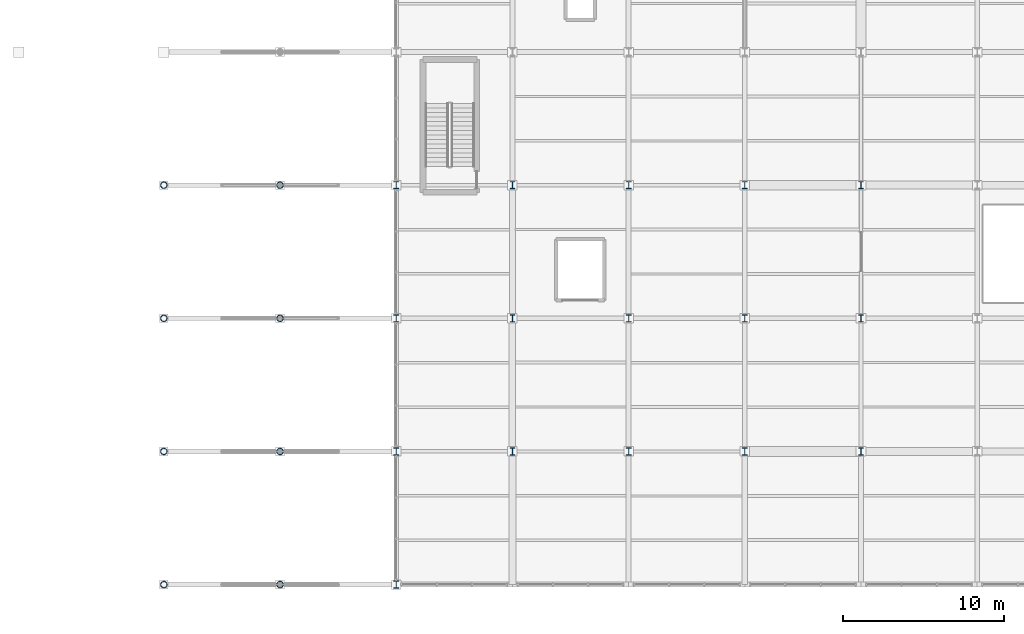
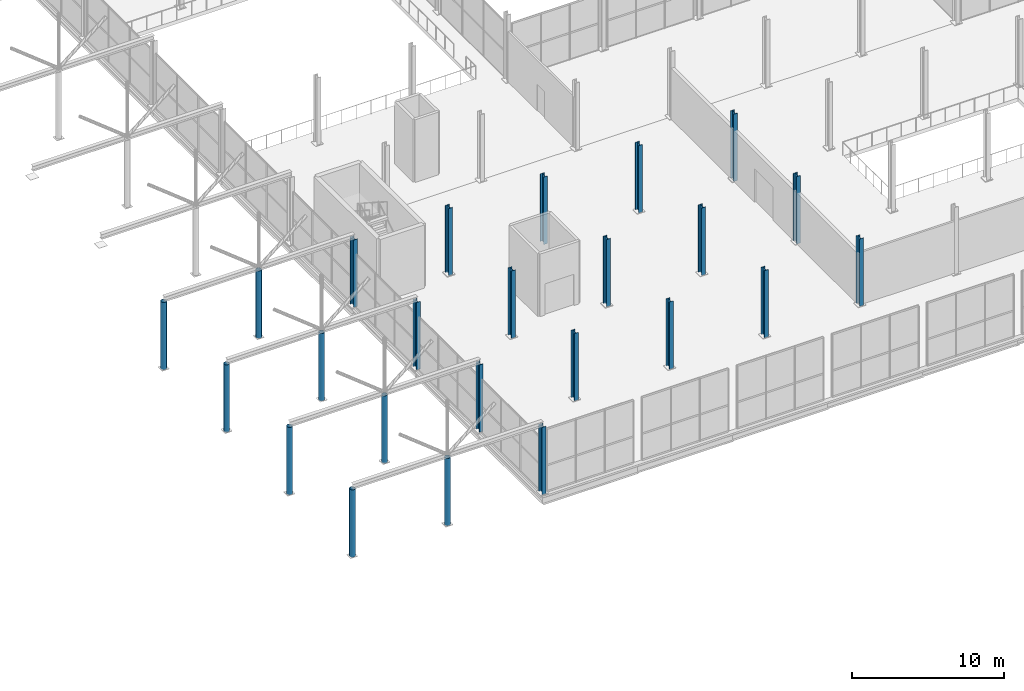
# One storey, part 2 of 147: 24 columns.
"""IFC4 building model written with IfcOpenShell, lengths in metres."""

from ifc_helpers import new_model, si_unit, direction, frame, origin, origin_2d, place, context, subcontext, project, spatial, hollow_circle, i_section, extrude, material, material_profile, profile_set, type_object, element, save


model = new_model("IFC4")

# Units and contexts
model_context = context("Model", 3, precision=1e-05, world=origin(), true_north=direction((0.0, 1.0)))
body_context = subcontext(model_context, "Body", "Model", "MODEL_VIEW")
ifc_project = project(units=[si_unit("LENGTHUNIT", "METRE"), si_unit("AREAUNIT", "SQUARE_METRE"), si_unit("VOLUMEUNIT", "CUBIC_METRE"), si_unit("PLANEANGLEUNIT", "RADIAN"), si_unit("MASSUNIT", "GRAM", prefix="KILO")], contexts=[model_context])

# Site, building, storey
site_placement = place(None, origin())
site = spatial("IfcSite", under=ifc_project, at=site_placement, CompositionType="ELEMENT")
building_placement = place(site_placement, origin())
building = spatial("IfcBuilding", under=site, at=building_placement, Name="Sundgate Opera House", CompositionType="ELEMENT")
storey_placement = place(building_placement, frame((0.0, 0.0, 6.0)))
storey = spatial("IfcBuildingStorey", under=building, at=storey_placement, Name="L01", CompositionType="ELEMENT", Elevation=6.0)

# Columns
ifc_material_1 = material(Name="Steel S355ML", Category="steel")
ifc_material_profile_1 = material_profile(ifc_material_1, hollow_circle(Radius=0.203125, WallThickness=0.02001953125, at=origin_2d()), Name="CHS 406.4x20.0")
ifc_profile_set_1 = profile_set([ifc_material_profile_1], Name="Steel S355ML")
column_type_1 = type_object("IfcColumnType", Name="CL-CHS-406", PredefinedType="COLUMN", material=ifc_profile_set_1)
for number, where, z_axis, x_axis, name in (
    (1, (81.0, 0.0, 0.0), (0.0, 0.0, 1.0), (1.0, 0.0, 0.0), "L01 Column C0519"),
    (2, (81.0, 8.25, 0.0), (0.0, 0.0, 1.0), (1.0, 0.0, 0.0), "L01 Column C0522"),
    (3, (81.0, 16.5, 0.0), (0.0, 0.0, 1.0), (1.0, 0.0, 0.0), "L01 Column C0525"),
    (4, (81.0, 24.75, 0.0), (0.0, 0.0, 1.0), (1.0, 0.0, 0.0), "L01 Column C0528"),
    (5, (88.199951171875, 0.0, 0.0), (0.0, 0.0, 1.0), (1.0, 0.0, 0.0), "L01 Column C0582"),
    (6, (88.199951171875, 8.25, 0.0), (0.0, 0.0, 1.0), (1.0, 0.0, 0.0), "L01 Column C0585"),
    (7, (88.199951171875, 16.5, 0.0), (0.0, 0.0, 1.0), (1.0, 0.0, 0.0), "L01 Column C0588"),
    (8, (88.199951171875, 24.75, 0.0), (0.0, 0.0, 1.0), (1.0, 0.0, 0.0), "L01 Column C0591"),
):
    element("IfcColumn", number, at=place(storey_placement, frame(where, z_axis=z_axis, x_axis=x_axis)), inside=storey, type_object=column_type_1, Name=name, PredefinedType="COLUMN", context=body_context, shape_type="SweptSolid", body=[
        extrude(hollow_circle(Radius=0.203125, WallThickness=0.02001953125, at=origin_2d()), origin(), (0.0, 0.0, 1.0), 5.39990234375),
    ])
ifc_material_2 = material(Name="Steel S355J2", Category="steel")
ifc_material_profile_2 = material_profile(ifc_material_2, i_section(OverallWidth=0.300048828125, OverallDepth=0.449951171875, WebThickness=0.013916015625, FlangeThickness=0.02587890625, at=origin_2d()), Name="HEB 450")
ifc_profile_set_2 = profile_set([ifc_material_profile_2], Name="Steel S355J2")
column_type_2 = type_object("IfcColumnType", Name="CL-STL-450", PredefinedType="COLUMN", material=ifc_profile_set_2)
for number, where, z_axis, x_axis, name in (
    (9, (95.39990234375, 0.0, 0.0), (0.0, 0.0, 1.0), (1.0, 0.0, 0.0), "L01 Column C0627"),
    (10, (95.39990234375, 8.25, 0.0), (0.0, 0.0, 1.0), (1.0, 0.0, 0.0), "L01 Column C0630"),
    (11, (95.39990234375, 16.5, 0.0), (0.0, 0.0, 1.0), (1.0, 0.0, 0.0), "L01 Column C0634"),
    (12, (95.39990234375, 24.75, 0.0), (0.0, 0.0, 1.0), (1.0, 0.0, 0.0), "L01 Column C0638"),
    (13, (102.60009765625, 8.25, 0.0), (0.0, 0.0, 1.0), (1.0, 0.0, 0.0), "L01 Column C0697"),
    (14, (102.60009765625, 16.5, 0.0), (0.0, 0.0, 1.0), (1.0, 0.0, 0.0), "L01 Column C0701"),
    (15, (102.60009765625, 24.75, 0.0), (0.0, 0.0, 1.0), (1.0, 0.0, 0.0), "L01 Column C0705"),
    (16, (109.800048828125, 8.25, 0.0), (0.0, 0.0, 1.0), (1.0, 0.0, 0.0), "L01 Column C0761"),
    (17, (109.800048828125, 16.5, 0.0), (0.0, 0.0, 1.0), (1.0, 0.0, 0.0), "L01 Column C0765"),
    (18, (109.800048828125, 24.75, 0.0), (0.0, 0.0, 1.0), (1.0, 0.0, 0.0), "L01 Column C0769"),
    (19, (117.0, 8.25, 0.0), (0.0, 0.0, 1.0), (1.0, 0.0, 0.0), "L01 Column C0822"),
    (20, (117.0, 16.5, 0.0), (0.0, 0.0, 1.0), (1.0, 0.0, 0.0), "L01 Column C0826"),
    (21, (117.0, 24.75, 0.0), (0.0, 0.0, 1.0), (1.0, 0.0, 0.0), "L01 Column C0830"),
    (22, (124.199951171875, 8.25, 0.0), (0.0, 0.0, 1.0), (1.0, 0.0, 0.0), "L01 Column C0886"),
    (23, (124.199951171875, 16.5, 0.0), (0.0, 0.0, 1.0), (1.0, 0.0, 0.0), "L01 Column C0890"),
    (24, (124.199951171875, 24.75, 0.0), (0.0, 0.0, 1.0), (1.0, 0.0, 0.0), "L01 Column C0894"),
):
    element("IfcColumn", number, at=place(storey_placement, frame(where, z_axis=z_axis, x_axis=x_axis)), inside=storey, type_object=column_type_2, Name=name, PredefinedType="COLUMN", context=body_context, shape_type="SweptSolid", body=[
        extrude(i_section(OverallWidth=0.300048828125, OverallDepth=0.449951171875, WebThickness=0.013916015625, FlangeThickness=0.02587890625, at=origin_2d()), origin(), (0.0, 0.0, 1.0), 5.39990234375),
    ])

save(model, "model.ifc")
